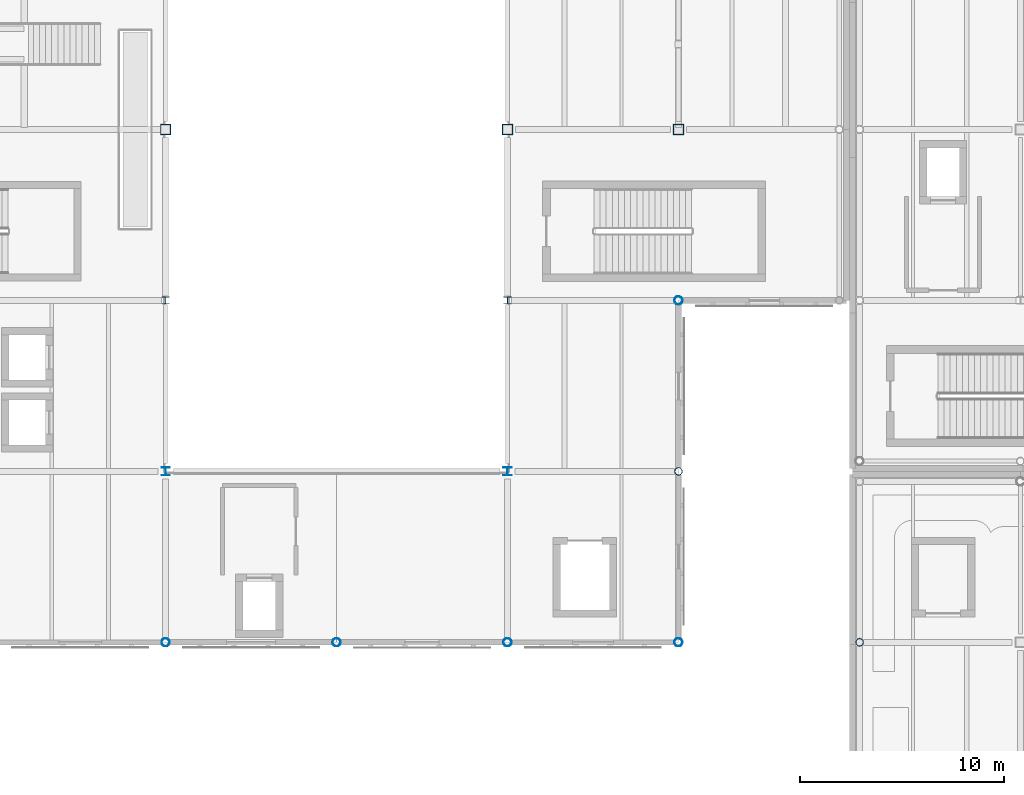
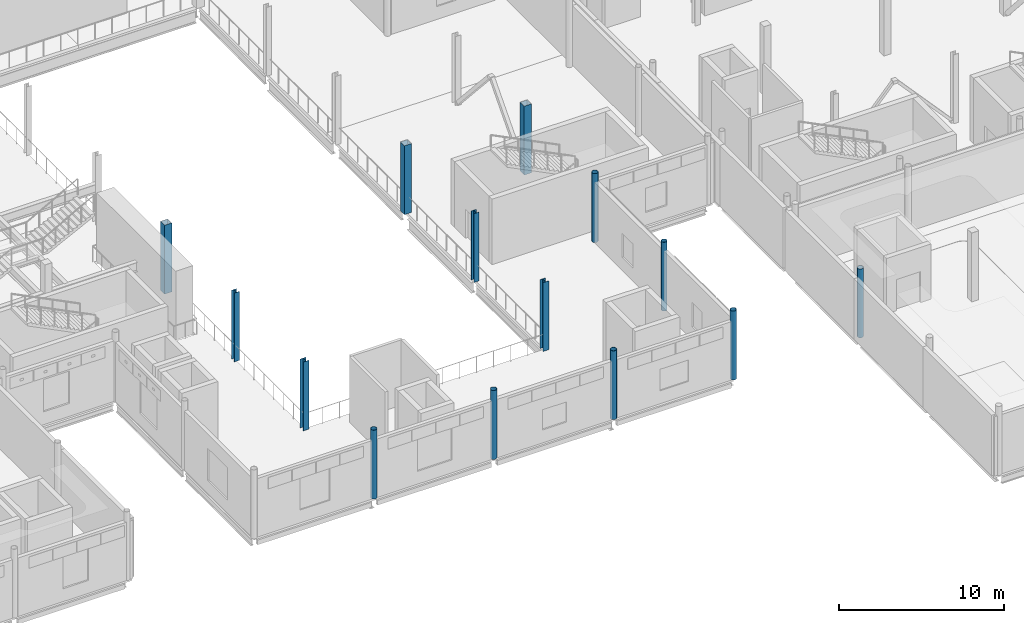
# One storey, part 4 of 104: 14 columns.
"""IFC4 building model written with IfcOpenShell, lengths in metres."""

from ifc_helpers import new_model, si_unit, direction, frame, origin, origin_2d, place, context, subcontext, project, spatial, hollow_rectangle, hollow_circle, i_section, extrude, material, material_profile, profile_set, type_object, element, save


model = new_model("IFC4")

# Units and contexts
model_context = context("Model", 3, precision=1e-05, world=origin(), true_north=direction((0.0, 1.0)))
body_context = subcontext(model_context, "Body", "Model", "MODEL_VIEW")
ifc_project = project(units=[si_unit("LENGTHUNIT", "METRE"), si_unit("AREAUNIT", "SQUARE_METRE"), si_unit("VOLUMEUNIT", "CUBIC_METRE"), si_unit("PLANEANGLEUNIT", "RADIAN"), si_unit("MASSUNIT", "GRAM", prefix="KILO"), si_unit("THERMODYNAMICTEMPERATUREUNIT", "KELVIN")], contexts=[model_context])

# Site, building, storey
site_placement = place(None, origin())
site = spatial("IfcSite", under=ifc_project, at=site_placement, CompositionType="ELEMENT")
building_placement = place(site_placement, origin())
building = spatial("IfcBuilding", under=site, at=building_placement, Name="Lustrewick Department Store", CompositionType="ELEMENT")
storey_placement = place(building_placement, frame((0.0, 0.0, 11.39990234375)))
storey = spatial("IfcBuildingStorey", under=building, at=storey_placement, Name="L03", CompositionType="ELEMENT", Elevation=11.39990234375)

# Columns
ifc_material_1 = material(Name="Structural steel Q355B", Category="steel")
ifc_material_profile_1 = material_profile(ifc_material_1, hollow_rectangle(XDim=0.5, YDim=0.5, WallThickness=0.02001953125, at=origin_2d()), Name="BOX 500x500x20")
ifc_profile_set_1 = profile_set([ifc_material_profile_1], Name="Structural steel Q355B")
column_type_1 = type_object("IfcColumnType", Name="C06", PredefinedType="COLUMN", material=ifc_profile_set_1)
for number, where, z_axis, x_axis, name in (
    (1, (75.60009765625, 67.199951171875, 0.0), (0.0, 0.0, 1.0), (1.0, 0.0, 0.0), "L03 V2 Column C06"),
    (2, (92.39990234375, 67.199951171875, 0.0), (0.0, 0.0, 1.0), (1.0, 0.0, 0.0), "L03 V2 Column C06"),
    (3, (100.800048828125, 67.199951171875, 0.0), (0.0, 0.0, 1.0), (1.0, 0.0, 0.0), "L03 V2 Column C06"),
):
    element("IfcColumn", number, at=place(storey_placement, frame(where, z_axis=z_axis, x_axis=x_axis)), inside=storey, type_object=column_type_1, Name=name, PredefinedType="COLUMN", context=body_context, shape_type="SweptSolid", body=[
        extrude(hollow_rectangle(XDim=0.5, YDim=0.5, WallThickness=0.02001953125, at=origin_2d()), origin(), (0.0, 0.0, 1.0), 5.10009765625),
    ])
ifc_material_profile_2 = material_profile(ifc_material_1, i_section(OverallWidth=0.402099609375, OverallDepth=0.387939453125, WebThickness=0.014892578125, FlangeThickness=0.014892578125, FilletRadius=0.02197265625, at=origin_2d()), Name="HW 388x402x15x15")
ifc_profile_set_2 = profile_set([ifc_material_profile_2], Name="Structural steel Q355B")
column_type_2 = type_object("IfcColumnType", Name="C12", PredefinedType="COLUMN", material=ifc_profile_set_2)
for number, where, z_axis, x_axis, name in (
    (4, (75.60009765625, 50.39990234375, 0.0), (0.0, 0.0, 1.0), (1.0, 0.0, 0.0), "L03 V2 Column C12"),
    (5, (92.39990234375, 50.39990234375, 0.0), (0.0, 0.0, 1.0), (1.0, 0.0, 0.0), "L03 V2 Column C12"),
):
    element("IfcColumn", number, at=place(storey_placement, frame(where, z_axis=z_axis, x_axis=x_axis)), inside=storey, type_object=column_type_2, Name=name, PredefinedType="COLUMN", context=body_context, shape_type="SweptSolid", body=[
        extrude(i_section(OverallWidth=0.402099609375, OverallDepth=0.387939453125, WebThickness=0.014892578125, FlangeThickness=0.014892578125, FilletRadius=0.02197265625, at=origin_2d()), origin(), (0.0, 0.0, 1.0), 5.10009765625),
    ])
ifc_material_profile_3 = material_profile(ifc_material_1, i_section(OverallWidth=0.35009765625, OverallDepth=0.35009765625, WebThickness=0.011962890625, FlangeThickness=0.01904296875, FilletRadius=0.02001953125, at=origin_2d()), Name="HW 350x350x12x19")
ifc_profile_set_3 = profile_set([ifc_material_profile_3], Name="Structural steel Q355B")
column_type_3 = type_object("IfcColumnType", Name="C13", PredefinedType="COLUMN", material=ifc_profile_set_3)
for number, where, z_axis, x_axis, name in (
    (6, (75.60009765625, 58.800048828125, 0.0), (0.0, 0.0, 1.0), (1.0, 0.0, 0.0), "L03 V2 Column C13"),
    (7, (92.39990234375, 58.800048828125, 0.0), (0.0, 0.0, 1.0), (1.0, 0.0, 0.0), "L03 V2 Column C13"),
):
    element("IfcColumn", number, at=place(storey_placement, frame(where, z_axis=z_axis, x_axis=x_axis)), inside=storey, type_object=column_type_3, Name=name, PredefinedType="COLUMN", context=body_context, shape_type="SweptSolid", body=[
        extrude(i_section(OverallWidth=0.35009765625, OverallDepth=0.35009765625, WebThickness=0.011962890625, FlangeThickness=0.01904296875, FilletRadius=0.02001953125, at=origin_2d()), origin(), (0.0, 0.0, 1.0), 5.10009765625),
    ])
ifc_material_2 = material(Name="Structural steel Q355C", Category="steel")
ifc_material_profile_4 = material_profile(ifc_material_2, hollow_circle(Radius=0.202880859375, WallThickness=0.01611328125, at=origin_2d()), Name="CHS 406x16")
ifc_profile_set_4 = profile_set([ifc_material_profile_4], Name="Structural steel Q355C")
column_type_4 = type_object("IfcColumnType", Name="CE03", PredefinedType="COLUMN", material=ifc_profile_set_4)
for number, where, z_axis, x_axis, name in (
    (8, (75.60009765625, 42.0, 0.0), (0.0, 0.0, 1.0), (1.0, 0.0, 0.0), "L03 V2 Column CE03"),
    (9, (84.0, 42.0, 0.0), (0.0, 0.0, 1.0), (1.0, 0.0, 0.0), "L03 V2 Column CE03"),
    (10, (92.39990234375, 42.0, 0.0), (0.0, 0.0, 1.0), (1.0, 0.0, 0.0), "L03 V2 Column CE03"),
    (11, (100.800048828125, 42.0, 0.0), (0.0, 0.0, 1.0), (1.0, 0.0, 0.0), "L03 V2 Column CE03"),
    (12, (100.800048828125, 58.800048828125, 0.0), (0.0, 0.0, 1.0), (1.0, 0.0, 0.0), "L03 V2 Column CE03"),
):
    element("IfcColumn", number, at=place(storey_placement, frame(where, z_axis=z_axis, x_axis=x_axis)), inside=storey, type_object=column_type_4, Name=name, PredefinedType="COLUMN", context=body_context, shape_type="SweptSolid", body=[
        extrude(hollow_circle(Radius=0.202880859375, WallThickness=0.01611328125, at=origin_2d()), origin(), (0.0, 0.0, 1.0), 5.10009765625),
    ])
ifc_material_profile_5 = material_profile(ifc_material_1, hollow_circle(Radius=0.1884765625, WallThickness=0.013916015625, at=origin_2d()), Name="CHS 377x14")
ifc_profile_set_5 = profile_set([ifc_material_profile_5], Name="Structural steel Q355B")
column_type_5 = type_object("IfcColumnType", Name="CE04", PredefinedType="COLUMN", material=ifc_profile_set_5)
for number, where, z_axis, x_axis, name in (
    (13, (100.800048828125, 50.39990234375, 0.0), (0.0, 0.0, 1.0), (1.0, 0.0, 0.0), "L03 V2 Column CE04"),
    (14, (109.699951171875, 42.0, 0.0), (0.0, 0.0, 1.0), (1.0, 0.0, 0.0), "L03 V3 Column CE04"),
):
    element("IfcColumn", number, at=place(storey_placement, frame(where, z_axis=z_axis, x_axis=x_axis)), inside=storey, type_object=column_type_5, Name=name, PredefinedType="COLUMN", context=body_context, shape_type="SweptSolid", body=[
        extrude(hollow_circle(Radius=0.1884765625, WallThickness=0.013916015625, at=origin_2d()), origin(), (0.0, 0.0, 1.0), 5.10009765625),
    ])

save(model, "model.ifc")
